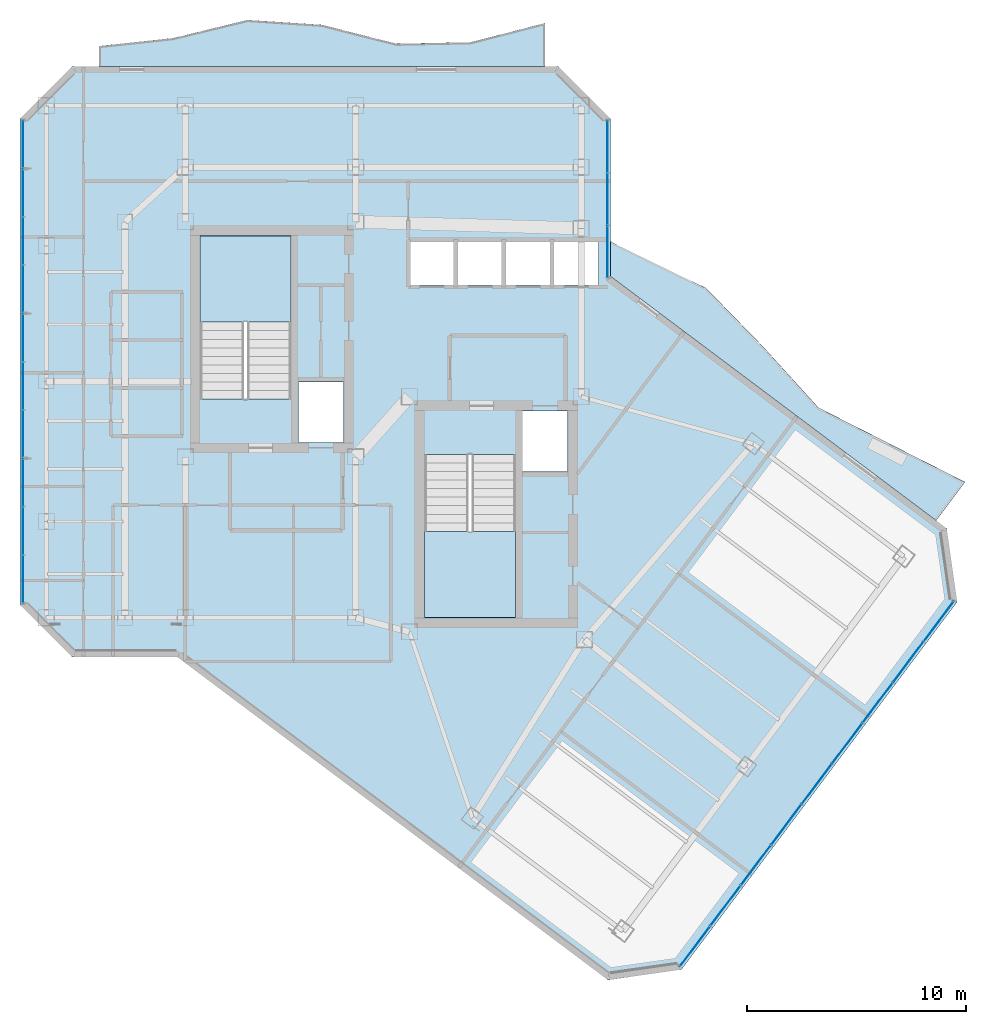
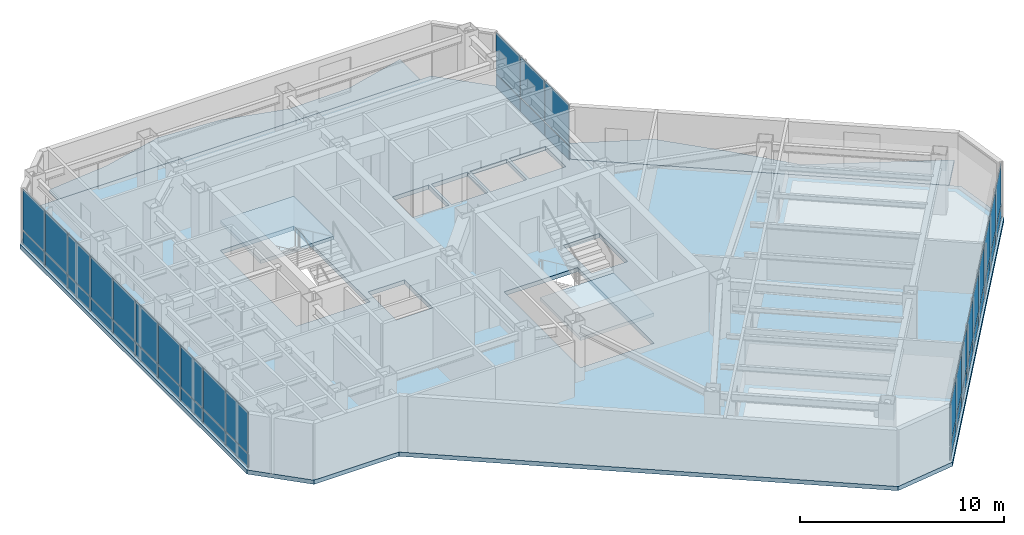
# One storey, part 18 of 26: 44 plates, 5 slabs, 5 elements without a shape of their own.
"""IFC4 building model written with IfcOpenShell, lengths in metres."""

import ifcopenshell
import ifcopenshell.guid

model = None  # the IFC model being written
_history = None  # IfcOwnerHistory: only IFC2X3 demands one
_inside = {}  # id of a spatial element -> (the spatial element, [elements in it])
_under = {}  # id of a project, library or spatial element -> (it, [spatial elements below it])
_declared = {}  # id of a project -> (the project, [libraries it declares])
_typed = {}  # id of a type object -> (the type object, [elements of that type])
_made_of = {}  # id of a material, layer set ... -> (it, [elements and type objects made of it])


def new_model(schema):
    """Start an empty IFC model of exactly this schema.

    Asked for "IFC4X3", IfcOpenShell would pick the latest addendum, in which some entities
    have other attributes; the version numbers below select the first issue.
    IFC2X3 requires an IfcOwnerHistory on every rooted entity: one is made here for all.
    """
    global model, _history
    if schema == "IFC4X3":
        model = ifcopenshell.file(schema_version=(4, 3, 0, 0))
    else:
        model = ifcopenshell.file(schema=schema)
    _inside.clear()
    _under.clear()
    _declared.clear()
    _typed.clear()
    _made_of.clear()
    _history = None
    if model.schema == "IFC2X3":
        org = make("IfcOrganization", Name="unknown")
        user = make(
            "IfcPersonAndOrganization",
            ThePerson=make("IfcPerson", FamilyName="unknown"),
            TheOrganization=org,
        )
        app = make(
            "IfcApplication",
            ApplicationDeveloper=org,
            Version="unknown",
            ApplicationFullName="unknown",
            ApplicationIdentifier="unknown",
        )
        _history = make(
            "IfcOwnerHistory",
            OwningUser=user,
            OwningApplication=app,
            ChangeAction="ADDED",
            CreationDate=0,
        )
    return model


def make(cls, **values):
    """One entity of the class cls with the attributes given. An attribute that is None is left unset."""
    return model.create_entity(
        cls, **{name: value for name, value in values.items() if value is not None}
    )


def rooted(cls, **values):
    """An entity with a GlobalId (a new one), such as an element, a storey or a relation."""
    return make(cls, GlobalId=ifcopenshell.guid.new(), OwnerHistory=_history, **values)


def si_unit(unit_type, name, prefix=None):
    """IfcSIUnit, for example si_unit("LENGTHUNIT", "METRE", prefix="MILLI")."""
    return make("IfcSIUnit", UnitType=unit_type, Prefix=prefix, Name=name)


def assignment(units):
    """IfcUnitAssignment: the units of a project."""
    return None if units is None else make("IfcUnitAssignment", Units=units)


def point(xyz):
    """IfcCartesianPoint."""
    return None if xyz is None else make("IfcCartesianPoint", Coordinates=xyz)


def direction(xyz):
    """IfcDirection."""
    return None if xyz is None else make("IfcDirection", DirectionRatios=xyz)


def frame(location, z_axis=None, x_axis=None):
    """IfcAxis2Placement3D, a coordinate frame: its origin and axes. An axis left out is left unset."""
    return make(
        "IfcAxis2Placement3D",
        Location=point(location),
        Axis=direction(z_axis),
        RefDirection=direction(x_axis),
    )


def frame_2d(location, x_axis=None):
    """IfcAxis2Placement2D, a coordinate frame in the plane: its origin and x axis."""
    return make(
        "IfcAxis2Placement2D", Location=point(location), RefDirection=direction(x_axis)
    )


def origin():
    """The frame at (0, 0, 0) with its axes left unset."""
    return frame((0.0, 0.0, 0.0))


def origin_2d():
    """The frame at (0, 0) in the plane with its x axis left unset."""
    return frame_2d((0.0, 0.0))


def place(relative_to, where):
    """IfcLocalPlacement: puts the frame where relative to a parent placement (None: the world)."""
    return make(
        "IfcLocalPlacement", PlacementRelTo=relative_to, RelativePlacement=where
    )


def context(
    kind, dimensions, precision=None, world=None, true_north=None, identifier=None
):
    """IfcGeometricRepresentationContext, for example the 3D "Model" context."""
    return make(
        "IfcGeometricRepresentationContext",
        ContextIdentifier=identifier,
        ContextType=kind,
        CoordinateSpaceDimension=dimensions,
        Precision=precision,
        WorldCoordinateSystem=world,
        TrueNorth=true_north,
    )


def subcontext(parent, identifier, kind, view, scale=None):
    """IfcGeometricRepresentationSubContext, for example "Body" below "Model"."""
    return make(
        "IfcGeometricRepresentationSubContext",
        ContextIdentifier=identifier,
        ContextType=kind,
        ParentContext=parent,
        TargetScale=scale,
        TargetView=view,
    )


def project(units=None, contexts=None):
    """IfcProject with its units and contexts."""
    return rooted(
        "IfcProject",
        Name="project",
        RepresentationContexts=contexts,
        UnitsInContext=assignment(units),
    )


def spatial(cls, under=None, at=None, **own):
    """A site, building, storey or space (cls), placed at a placement, below another one or the project."""
    s = rooted(cls, ObjectPlacement=at, **own)
    if under is not None:
        _under.setdefault(under.id(), (under, []))[1].append(s)
    return s


def polyline(points):
    """IfcPolyline through the points."""
    return make("IfcPolyline", Points=[point(p) for p in points])


def profile(cls, at=None, kind="AREA", **sizes):
    """A parametric profile (cls). Its sizes go by their IFC names, for example OverallWidth=200.0."""
    return make(cls, ProfileType=kind, Position=at, **sizes)


def rectangle(**sizes):
    """IfcRectangleProfileDef."""
    return profile("IfcRectangleProfileDef", **sizes)


def outline(outer, holes=None, kind="AREA"):
    """IfcArbitraryClosedProfileDef: a profile drawn as a closed curve; with holes, ...WithVoids."""
    if holes is None:
        return make("IfcArbitraryClosedProfileDef", ProfileType=kind, OuterCurve=outer)
    return make(
        "IfcArbitraryProfileDefWithVoids",
        ProfileType=kind,
        OuterCurve=outer,
        InnerCurves=holes,
    )


def extrude(swept, where, along, depth):
    """IfcExtrudedAreaSolid: the profile swept, set in the frame where, extruded along a direction by depth."""
    return make(
        "IfcExtrudedAreaSolid",
        SweptArea=swept,
        Position=where,
        ExtrudedDirection=direction(along),
        Depth=depth,
    )


def shape(context_of_items, identifier, shape_type, items):
    """IfcShapeRepresentation: the items that make up one representation, for example the "Body"."""
    return make(
        "IfcShapeRepresentation",
        ContextOfItems=context_of_items,
        RepresentationIdentifier=identifier,
        RepresentationType=shape_type,
        Items=items,
    )


def material(Name=None, Category=None):
    """IfcMaterial."""
    return make("IfcMaterial", Name=Name, Category=Category)


def layer(
    of_material, thickness, ventilated=None, Name=None, Category=None, Priority=None
):
    """IfcMaterialLayer: one layer of a wall or slab, of a material (None: an air gap)."""
    return make(
        "IfcMaterialLayer",
        Material=of_material,
        LayerThickness=thickness,
        IsVentilated=ventilated,
        Name=Name,
        Category=Category,
        Priority=Priority,
    )


def layer_set(layers, Name=None):
    """IfcMaterialLayerSet."""
    return make("IfcMaterialLayerSet", MaterialLayers=layers, LayerSetName=Name)


def made_of(thing, what):
    """Note that an element or type object is made of a material, layer set ...; save() writes the relation."""
    if what is not None:
        _made_of.setdefault(what.id(), (what, []))[1].append(thing)
    return thing


def type_object(cls, material=None, **own):
    """A type object (cls), such as IfcWallType, which elements share."""
    return made_of(rooted(cls, **own), material)


def element(
    cls,
    number,
    at=None,
    inside=None,
    cuts=None,
    type_object=None,
    material=None,
    context=None,
    identifier="Body",
    shape_type=None,
    held_by="IfcProductDefinitionShape",
    body=None,
    shapes=None,
    **own,
):
    """One element of the class cls, such as IfcWall. Its Tag is "e" and its number.

    at: its placement. inside: the storey or other place that contains it. cuts: it is an
    opening in that element (IfcRelVoidsElement). A single representation is given by context,
    identifier, shape_type and body (its items); several are given by shapes. held_by: the class
    of the entity that holds the representations. save() writes the other relations.
    """
    e = rooted(cls, Tag="e%d" % number, ObjectPlacement=at, **own)
    if body is not None:
        shapes = [shape(context, identifier, shape_type, body)]
    if shapes is not None:
        e.Representation = make(held_by, Representations=shapes)
    if inside is not None:
        _inside.setdefault(inside.id(), (inside, []))[1].append(e)
    if cuts is not None:
        rooted(
            "IfcRelVoidsElement", RelatingBuildingElement=cuts, RelatedOpeningElement=e
        )
    if type_object is not None:
        _typed.setdefault(type_object.id(), (type_object, []))[1].append(e)
    return made_of(e, material)


def aggregate(whole, parts):
    """IfcRelAggregates: a whole, such as a stair, and the parts it consists of."""
    return rooted("IfcRelAggregates", RelatingObject=whole, RelatedObjects=parts)


def save(model, path):
    """Write the relations noted so far, then the file.

    IfcRelAggregates (storeys below a building ...), IfcRelContainedInSpatialStructure (elements
    in a storey), IfcRelDefinesByType, IfcRelAssociatesMaterial and IfcRelDeclares: one each for
    every whole, place, type object, material and project.
    """
    for whole, parts in _under.values():
        aggregate(whole, parts)
    for where, things in _inside.values():
        rooted(
            "IfcRelContainedInSpatialStructure",
            RelatedElements=things,
            RelatingStructure=where,
        )
    for kind, things in _typed.values():
        rooted("IfcRelDefinesByType", RelatedObjects=things, RelatingType=kind)
    for what, things in _made_of.values():
        rooted("IfcRelAssociatesMaterial", RelatedObjects=things, RelatingMaterial=what)
    for by, libraries in _declared.values():
        rooted("IfcRelDeclares", RelatingContext=by, RelatedDefinitions=libraries)
    model.write(path)


model = new_model("IFC4")

# Units and contexts
model_context = context("Model", 3, precision=1e-05, world=origin(), true_north=direction((0.0, 1.0)))
body_context = subcontext(model_context, "Body", "Model", "MODEL_VIEW")
ifc_project = project(units=[si_unit("LENGTHUNIT", "METRE"), si_unit("AREAUNIT", "SQUARE_METRE"), si_unit("VOLUMEUNIT", "CUBIC_METRE"), si_unit("PLANEANGLEUNIT", "RADIAN"), si_unit("MASSUNIT", "GRAM", prefix="KILO")], contexts=[model_context])

# Site, building, storey
site_placement = place(None, origin())
site = spatial("IfcSite", under=ifc_project, at=site_placement, CompositionType="ELEMENT")
building_placement = place(site_placement, origin())
building = spatial("IfcBuilding", under=site, at=building_placement, Name="Hatsunagi Terrace Concourse", CompositionType="ELEMENT")
storey_placement = place(building_placement, frame((0.0, 0.0, 198.75)))
storey = spatial("IfcBuildingStorey", under=building, at=storey_placement, Name="L52", CompositionType="ELEMENT", Elevation=198.75)

# Curtain wall, plates
ifc_material_1 = material(Name="Anodised Aluminium Alloy 6063-T5", Category="aluminium")
ifc_layer_1 = layer(ifc_material_1, 0.199951171875)
ifc_layer_set_1 = layer_set([ifc_layer_1], Name="OfficeZone2_CW04")
curtain_wall_type = type_object("IfcCurtainWallType", Name="OfficeZone2_CW04", PredefinedType="NOTDEFINED", material=ifc_layer_set_1)
curtain_wall_1_placement = place(storey_placement, origin())
curtain_wall_1 = element("IfcCurtainWall", 1, at=curtain_wall_1_placement, inside=storey, type_object=curtain_wall_type, Name="Unitised Curtain Wall CW-04 CW-L52-03", PredefinedType="NOTDEFINED")
ifc_material_2 = material(Name="Warm Terracotta Ceramic Spandrel Panel", Category="masonry")
ifc_layer_2 = layer(ifc_material_2, 0.031982421875)
ifc_layer_set_2 = layer_set([ifc_layer_2], Name="CurtainWallSpandrelPanel_32")
plate_type_1 = type_object("IfcPlateType", Name="CurtainWallSpandrelPanel_32", PredefinedType="SHEET", material=ifc_layer_set_2)
plate_1_placement = place(storey_placement, frame((59.9970703125, 25.030029296875, 0.030029296875), z_axis=(0.0, 0.0, 1.0), x_axis=(-0.599969314634, -0.800023013105, 0.0)))
plate_1 = element("IfcPlate", 2, at=plate_1_placement, type_object=plate_type_1, Name="Terracotta Spandrel Panel SPN-01", PredefinedType="SHEET", context=body_context, shape_type="SweptSolid", body=[
    extrude(rectangle(XDim=2.264892578125, YDim=0.031982421875, at=origin_2d()), origin(), (0.0, 0.0, 1.0), 0.7900390625),
])
plate_2_placement = place(storey_placement, frame((58.60498046875, 23.173095703125, 0.030029296875), z_axis=(0.0, 0.0, 1.0), x_axis=(-0.599969314634, -0.800023013105, 0.0)))
plate_2 = element("IfcPlate", 3, at=plate_2_placement, type_object=plate_type_1, Name="Terracotta Spandrel Panel SPN-01", PredefinedType="SHEET", context=body_context, shape_type="SweptSolid", body=[
    extrude(rectangle(XDim=2.264892578125, YDim=0.031982421875, at=origin_2d()), origin(), (0.0, 0.0, 1.0), 0.7900390625),
])
plate_3_placement = place(storey_placement, frame((57.2119140625, 21.31689453125, 0.030029296875), z_axis=(0.0, 0.0, 1.0), x_axis=(-0.599969314634, -0.800023013105, 0.0)))
plate_3 = element("IfcPlate", 4, at=plate_3_placement, type_object=plate_type_1, Name="Terracotta Spandrel Panel SPN-01", PredefinedType="SHEET", context=body_context, shape_type="SweptSolid", body=[
    extrude(rectangle(XDim=2.264892578125, YDim=0.031982421875, at=origin_2d()), origin(), (0.0, 0.0, 1.0), 0.7900390625),
])
plate_4_placement = place(storey_placement, frame((55.820068359375, 19.4599609375, 0.030029296875), z_axis=(0.0, 0.0, 1.0), x_axis=(-0.599969314634, -0.800023013105, 0.0)))
plate_4 = element("IfcPlate", 5, at=plate_4_placement, type_object=plate_type_1, Name="Terracotta Spandrel Panel SPN-01", PredefinedType="SHEET", context=body_context, shape_type="SweptSolid", body=[
    extrude(rectangle(XDim=2.264892578125, YDim=0.031982421875, at=origin_2d()), origin(), (0.0, 0.0, 1.0), 0.7900390625),
])
plate_5_placement = place(storey_placement, frame((54.427978515625, 17.60400390625, 0.030029296875), z_axis=(0.0, 0.0, 1.0), x_axis=(-0.599969314634, -0.800023013105, 0.0)))
plate_5 = element("IfcPlate", 6, at=plate_5_placement, type_object=plate_type_1, Name="Terracotta Spandrel Panel SPN-01", PredefinedType="SHEET", context=body_context, shape_type="SweptSolid", body=[
    extrude(rectangle(XDim=2.264892578125, YDim=0.031982421875, at=origin_2d()), origin(), (0.0, 0.0, 1.0), 0.7900390625),
])
plate_6_placement = place(storey_placement, frame((53.035888671875, 15.748046875, 0.030029296875), z_axis=(0.0, 0.0, 1.0), x_axis=(-0.599969314634, -0.800023013105, 0.0)))
plate_6 = element("IfcPlate", 7, at=plate_6_placement, type_object=plate_type_1, Name="Terracotta Spandrel Panel SPN-01", PredefinedType="SHEET", context=body_context, shape_type="SweptSolid", body=[
    extrude(rectangle(XDim=2.264892578125, YDim=0.031982421875, at=origin_2d()), origin(), (0.0, 0.0, 1.0), 0.7900390625),
])
plate_7_placement = place(storey_placement, frame((51.64404296875, 13.89111328125, 0.030029296875), z_axis=(0.0, 0.0, 1.0), x_axis=(-0.599969314634, -0.800023013105, 0.0)))
plate_7 = element("IfcPlate", 8, at=plate_7_placement, type_object=plate_type_1, Name="Terracotta Spandrel Panel SPN-01", PredefinedType="SHEET", context=body_context, shape_type="SweptSolid", body=[
    extrude(rectangle(XDim=2.264892578125, YDim=0.031982421875, at=origin_2d()), origin(), (0.0, 0.0, 1.0), 0.7900390625),
])
plate_8_placement = place(storey_placement, frame((50.2509765625, 12.034912109375, 0.030029296875), z_axis=(0.0, 0.0, 1.0), x_axis=(-0.599969314634, -0.800023013105, 0.0)))
plate_8 = element("IfcPlate", 9, at=plate_8_placement, type_object=plate_type_1, Name="Terracotta Spandrel Panel SPN-01", PredefinedType="SHEET", context=body_context, shape_type="SweptSolid", body=[
    extrude(rectangle(XDim=2.264892578125, YDim=0.031982421875, at=origin_2d()), origin(), (0.0, 0.0, 1.0), 0.7900390625),
])
plate_9_placement = place(storey_placement, frame((48.85888671875, 10.177978515625, 0.030029296875), z_axis=(0.0, 0.0, 1.0), x_axis=(-0.599969314634, -0.800023013105, 0.0)))
plate_9 = element("IfcPlate", 10, at=plate_9_placement, type_object=plate_type_1, Name="Terracotta Spandrel Panel SPN-01", PredefinedType="SHEET", context=body_context, shape_type="SweptSolid", body=[
    extrude(rectangle(XDim=2.264892578125, YDim=0.031982421875, at=origin_2d()), origin(), (0.0, 0.0, 1.0), 0.7900390625),
])

curtain_wall_2_placement = place(storey_placement, origin())
curtain_wall_2 = element("IfcCurtainWall", 11, at=curtain_wall_2_placement, inside=storey, type_object=curtain_wall_type, Name="Unitised Curtain Wall CW-04 CW-L52-08", PredefinedType="NOTDEFINED")
plate_10_placement = place(storey_placement, frame((18.139892578125, 26.9619140625, 0.030029296875), z_axis=(0.0, 0.0, 1.0), x_axis=(0.0, 1.0, 0.0)))
plate_10 = element("IfcPlate", 12, at=plate_10_placement, type_object=plate_type_1, Name="Terracotta Spandrel Panel SPN-01", PredefinedType="SHEET", context=body_context, shape_type="SweptSolid", body=[
    extrude(rectangle(XDim=2.153076171875, YDim=0.031982421875, at=origin_2d()), origin(), (0.0, 0.0, 1.0), 0.7900390625),
])
plate_11_placement = place(storey_placement, frame((18.139892578125, 29.1708984375, 0.030029296875), z_axis=(0.0, 0.0, 1.0), x_axis=(0.0, 1.0, 0.0)))
plate_11 = element("IfcPlate", 13, at=plate_11_placement, type_object=plate_type_1, Name="Terracotta Spandrel Panel SPN-01", PredefinedType="SHEET", context=body_context, shape_type="SweptSolid", body=[
    extrude(rectangle(XDim=2.153076171875, YDim=0.031982421875, at=origin_2d()), origin(), (0.0, 0.0, 1.0), 0.7900390625),
])
plate_12_placement = place(storey_placement, frame((18.139892578125, 31.37890625, 0.030029296875), z_axis=(0.0, 0.0, 1.0), x_axis=(0.0, 1.0, 0.0)))
plate_12 = element("IfcPlate", 14, at=plate_12_placement, type_object=plate_type_1, Name="Terracotta Spandrel Panel SPN-01", PredefinedType="SHEET", context=body_context, shape_type="SweptSolid", body=[
    extrude(rectangle(XDim=2.153076171875, YDim=0.031982421875, at=origin_2d()), origin(), (0.0, 0.0, 1.0), 0.7900390625),
])
plate_13_placement = place(storey_placement, frame((18.139892578125, 33.5869140625, 0.030029296875), z_axis=(0.0, 0.0, 1.0), x_axis=(0.0, 1.0, 0.0)))
plate_13 = element("IfcPlate", 15, at=plate_13_placement, type_object=plate_type_1, Name="Terracotta Spandrel Panel SPN-01", PredefinedType="SHEET", context=body_context, shape_type="SweptSolid", body=[
    extrude(rectangle(XDim=2.153076171875, YDim=0.031982421875, at=origin_2d()), origin(), (0.0, 0.0, 1.0), 0.7900390625),
])
plate_14_placement = place(storey_placement, frame((18.139892578125, 35.7958984375, 0.030029296875), z_axis=(0.0, 0.0, 1.0), x_axis=(0.0, 1.0, 0.0)))
plate_14 = element("IfcPlate", 16, at=plate_14_placement, type_object=plate_type_1, Name="Terracotta Spandrel Panel SPN-01", PredefinedType="SHEET", context=body_context, shape_type="SweptSolid", body=[
    extrude(rectangle(XDim=2.153076171875, YDim=0.031982421875, at=origin_2d()), origin(), (0.0, 0.0, 1.0), 0.7900390625),
])
plate_15_placement = place(storey_placement, frame((18.139892578125, 38.00390625, 0.030029296875), z_axis=(0.0, 0.0, 1.0), x_axis=(0.0, 1.0, 0.0)))
plate_15 = element("IfcPlate", 17, at=plate_15_placement, type_object=plate_type_1, Name="Terracotta Spandrel Panel SPN-01", PredefinedType="SHEET", context=body_context, shape_type="SweptSolid", body=[
    extrude(rectangle(XDim=2.153076171875, YDim=0.031982421875, at=origin_2d()), origin(), (0.0, 0.0, 1.0), 0.7900390625),
])
plate_16_placement = place(storey_placement, frame((18.139892578125, 40.212890625, 0.030029296875), z_axis=(0.0, 0.0, 1.0), x_axis=(0.0, 1.0, 0.0)))
plate_16 = element("IfcPlate", 18, at=plate_16_placement, type_object=plate_type_1, Name="Terracotta Spandrel Panel SPN-01", PredefinedType="SHEET", context=body_context, shape_type="SweptSolid", body=[
    extrude(rectangle(XDim=2.153076171875, YDim=0.031982421875, at=origin_2d()), origin(), (0.0, 0.0, 1.0), 0.7900390625),
])
plate_17_placement = place(storey_placement, frame((18.139892578125, 42.4208984375, 0.030029296875), z_axis=(0.0, 0.0, 1.0), x_axis=(0.0, 1.0, 0.0)))
plate_17 = element("IfcPlate", 19, at=plate_17_placement, type_object=plate_type_1, Name="Terracotta Spandrel Panel SPN-01", PredefinedType="SHEET", context=body_context, shape_type="SweptSolid", body=[
    extrude(rectangle(XDim=2.153076171875, YDim=0.031982421875, at=origin_2d()), origin(), (0.0, 0.0, 1.0), 0.7900390625),
])
plate_18_placement = place(storey_placement, frame((18.139892578125, 44.62890625, 0.030029296875), z_axis=(0.0, 0.0, 1.0), x_axis=(0.0, 1.0, 0.0)))
plate_18 = element("IfcPlate", 20, at=plate_18_placement, type_object=plate_type_1, Name="Terracotta Spandrel Panel SPN-01", PredefinedType="SHEET", context=body_context, shape_type="SweptSolid", body=[
    extrude(rectangle(XDim=2.153076171875, YDim=0.031982421875, at=origin_2d()), origin(), (0.0, 0.0, 1.0), 0.7900390625),
])
plate_19_placement = place(storey_placement, frame((18.139892578125, 46.837890625, 0.030029296875), z_axis=(0.0, 0.0, 1.0), x_axis=(0.0, 1.0, 0.0)))
plate_19 = element("IfcPlate", 21, at=plate_19_placement, type_object=plate_type_1, Name="Terracotta Spandrel Panel SPN-01", PredefinedType="SHEET", context=body_context, shape_type="SweptSolid", body=[
    extrude(rectangle(XDim=2.153076171875, YDim=0.031982421875, at=origin_2d()), origin(), (0.0, 0.0, 1.0), 0.7900390625),
])

curtain_wall_3_placement = place(storey_placement, origin())
curtain_wall_3 = element("IfcCurtainWall", 22, at=curtain_wall_3_placement, inside=storey, type_object=curtain_wall_type, Name="Unitised Curtain Wall CW-04 CW-L52-12", PredefinedType="NOTDEFINED")
plate_20_placement = place(storey_placement, frame((44.860107421875, 46.739990234375, 0.030029296875), z_axis=(0.0, 0.0, 1.0), x_axis=(0.0, -1.0, 0.0)))
plate_20 = element("IfcPlate", 23, at=plate_20_placement, type_object=plate_type_1, Name="Terracotta Spandrel Panel SPN-01", PredefinedType="SHEET", context=body_context, shape_type="SweptSolid", body=[
    extrude(rectangle(XDim=2.34912109375, YDim=0.031982421875, at=origin_2d()), origin(), (0.0, 0.0, 1.0), 0.7900390625),
])
plate_21_placement = place(storey_placement, frame((44.860107421875, 44.3359375, 0.030029296875), z_axis=(0.0, 0.0, 1.0), x_axis=(0.0, -1.0, 0.0)))
plate_21 = element("IfcPlate", 24, at=plate_21_placement, type_object=plate_type_1, Name="Terracotta Spandrel Panel SPN-01", PredefinedType="SHEET", context=body_context, shape_type="SweptSolid", body=[
    extrude(rectangle(XDim=2.34912109375, YDim=0.031982421875, at=origin_2d()), origin(), (0.0, 0.0, 1.0), 0.7900390625),
])
plate_22_placement = place(storey_placement, frame((44.860107421875, 41.931884765625, 0.030029296875), z_axis=(0.0, 0.0, 1.0), x_axis=(0.0, -1.0, 0.0)))
plate_22 = element("IfcPlate", 25, at=plate_22_placement, type_object=plate_type_1, Name="Terracotta Spandrel Panel SPN-01", PredefinedType="SHEET", context=body_context, shape_type="SweptSolid", body=[
    extrude(rectangle(XDim=2.34912109375, YDim=0.031982421875, at=origin_2d()), origin(), (0.0, 0.0, 1.0), 0.7900390625),
])

# Plate
ifc_material_3 = material(Name="Low-E Double Insulating Glass 28mm", Category="glass")
ifc_layer_3 = layer(ifc_material_3, 0.028076171875)
ifc_layer_set_3 = layer_set([ifc_layer_3], Name="CurtainWallVisionGlass_28")
plate_type_2 = type_object("IfcPlateType", Name="CurtainWallVisionGlass_28", PredefinedType="CURTAIN_PANEL", material=ifc_layer_set_3)
plate_23_placement = place(storey_placement, frame((59.9970703125, 25.030029296875, 0.880126953125), z_axis=(0.0, 0.0, 1.0), x_axis=(-0.599969314634, -0.800023013105, 0.0)))
plate_23 = element("IfcPlate", 26, at=plate_23_placement, type_object=plate_type_2, Name="Low-E Vision Glass Panel GLZ-01", PredefinedType="CURTAIN_PANEL", context=body_context, shape_type="SweptSolid", body=[
    extrude(rectangle(XDim=2.264892578125, YDim=0.028076171875, at=origin_2d()), origin(), (0.0, 0.0, 1.0), 2.43994140625),
])

plate_24_placement = place(storey_placement, frame((58.60498046875, 23.173095703125, 0.880126953125), z_axis=(0.0, 0.0, 1.0), x_axis=(-0.599969314634, -0.800023013105, 0.0)))
plate_24 = element("IfcPlate", 27, at=plate_24_placement, type_object=plate_type_2, Name="Low-E Vision Glass Panel GLZ-01", PredefinedType="CURTAIN_PANEL", context=body_context, shape_type="SweptSolid", body=[
    extrude(rectangle(XDim=2.264892578125, YDim=0.028076171875, at=origin_2d()), origin(), (0.0, 0.0, 1.0), 2.43994140625),
])

plate_25_placement = place(storey_placement, frame((57.2119140625, 21.31689453125, 0.880126953125), z_axis=(0.0, 0.0, 1.0), x_axis=(-0.599969314634, -0.800023013105, 0.0)))
plate_25 = element("IfcPlate", 28, at=plate_25_placement, type_object=plate_type_2, Name="Low-E Vision Glass Panel GLZ-01", PredefinedType="CURTAIN_PANEL", context=body_context, shape_type="SweptSolid", body=[
    extrude(rectangle(XDim=2.264892578125, YDim=0.028076171875, at=origin_2d()), origin(), (0.0, 0.0, 1.0), 2.43994140625),
])

plate_26_placement = place(storey_placement, frame((55.820068359375, 19.4599609375, 0.880126953125), z_axis=(0.0, 0.0, 1.0), x_axis=(-0.599969314634, -0.800023013105, 0.0)))
plate_26 = element("IfcPlate", 29, at=plate_26_placement, type_object=plate_type_2, Name="Low-E Vision Glass Panel GLZ-01", PredefinedType="CURTAIN_PANEL", context=body_context, shape_type="SweptSolid", body=[
    extrude(rectangle(XDim=2.264892578125, YDim=0.028076171875, at=origin_2d()), origin(), (0.0, 0.0, 1.0), 2.43994140625),
])

plate_27_placement = place(storey_placement, frame((54.427978515625, 17.60400390625, 0.880126953125), z_axis=(0.0, 0.0, 1.0), x_axis=(-0.599969314634, -0.800023013105, 0.0)))
plate_27 = element("IfcPlate", 30, at=plate_27_placement, type_object=plate_type_2, Name="Low-E Vision Glass Panel GLZ-01", PredefinedType="CURTAIN_PANEL", context=body_context, shape_type="SweptSolid", body=[
    extrude(rectangle(XDim=2.264892578125, YDim=0.028076171875, at=origin_2d()), origin(), (0.0, 0.0, 1.0), 2.43994140625),
])

plate_28_placement = place(storey_placement, frame((53.035888671875, 15.748046875, 0.880126953125), z_axis=(0.0, 0.0, 1.0), x_axis=(-0.599969314634, -0.800023013105, 0.0)))
plate_28 = element("IfcPlate", 31, at=plate_28_placement, type_object=plate_type_2, Name="Low-E Vision Glass Panel GLZ-01", PredefinedType="CURTAIN_PANEL", context=body_context, shape_type="SweptSolid", body=[
    extrude(rectangle(XDim=2.264892578125, YDim=0.028076171875, at=origin_2d()), origin(), (0.0, 0.0, 1.0), 2.43994140625),
])

plate_29_placement = place(storey_placement, frame((51.64404296875, 13.89111328125, 0.880126953125), z_axis=(0.0, 0.0, 1.0), x_axis=(-0.599969314634, -0.800023013105, 0.0)))
plate_29 = element("IfcPlate", 32, at=plate_29_placement, type_object=plate_type_2, Name="Low-E Vision Glass Panel GLZ-01", PredefinedType="CURTAIN_PANEL", context=body_context, shape_type="SweptSolid", body=[
    extrude(rectangle(XDim=2.264892578125, YDim=0.028076171875, at=origin_2d()), origin(), (0.0, 0.0, 1.0), 2.43994140625),
])

plate_30_placement = place(storey_placement, frame((50.2509765625, 12.034912109375, 0.880126953125), z_axis=(0.0, 0.0, 1.0), x_axis=(-0.599969314634, -0.800023013105, 0.0)))
plate_30 = element("IfcPlate", 33, at=plate_30_placement, type_object=plate_type_2, Name="Low-E Vision Glass Panel GLZ-01", PredefinedType="CURTAIN_PANEL", context=body_context, shape_type="SweptSolid", body=[
    extrude(rectangle(XDim=2.264892578125, YDim=0.028076171875, at=origin_2d()), origin(), (0.0, 0.0, 1.0), 2.43994140625),
])

plate_31_placement = place(storey_placement, frame((48.85888671875, 10.177978515625, 0.880126953125), z_axis=(0.0, 0.0, 1.0), x_axis=(-0.599969314634, -0.800023013105, 0.0)))
plate_31 = element("IfcPlate", 34, at=plate_31_placement, type_object=plate_type_2, Name="Low-E Vision Glass Panel GLZ-01", PredefinedType="CURTAIN_PANEL", context=body_context, shape_type="SweptSolid", body=[
    extrude(rectangle(XDim=2.264892578125, YDim=0.028076171875, at=origin_2d()), origin(), (0.0, 0.0, 1.0), 2.43994140625),
])

aggregate(curtain_wall_1, [plate_1, plate_23, plate_2, plate_24, plate_3, plate_25, plate_4, plate_26, plate_5, plate_27, plate_6, plate_28, plate_7, plate_29, plate_8, plate_30, plate_9, plate_31])

plate_32_placement = place(storey_placement, frame((18.139892578125, 26.9619140625, 0.880126953125), z_axis=(0.0, 0.0, 1.0), x_axis=(0.0, 1.0, 0.0)))
plate_32 = element("IfcPlate", 35, at=plate_32_placement, type_object=plate_type_2, Name="Low-E Vision Glass Panel GLZ-01", PredefinedType="CURTAIN_PANEL", context=body_context, shape_type="SweptSolid", body=[
    extrude(rectangle(XDim=2.153076171875, YDim=0.028076171875, at=origin_2d()), origin(), (0.0, 0.0, 1.0), 2.43994140625),
])

plate_33_placement = place(storey_placement, frame((18.139892578125, 29.1708984375, 0.880126953125), z_axis=(0.0, 0.0, 1.0), x_axis=(0.0, 1.0, 0.0)))
plate_33 = element("IfcPlate", 36, at=plate_33_placement, type_object=plate_type_2, Name="Low-E Vision Glass Panel GLZ-01", PredefinedType="CURTAIN_PANEL", context=body_context, shape_type="SweptSolid", body=[
    extrude(rectangle(XDim=2.153076171875, YDim=0.028076171875, at=origin_2d()), origin(), (0.0, 0.0, 1.0), 2.43994140625),
])

plate_34_placement = place(storey_placement, frame((18.139892578125, 31.37890625, 0.880126953125), z_axis=(0.0, 0.0, 1.0), x_axis=(0.0, 1.0, 0.0)))
plate_34 = element("IfcPlate", 37, at=plate_34_placement, type_object=plate_type_2, Name="Low-E Vision Glass Panel GLZ-01", PredefinedType="CURTAIN_PANEL", context=body_context, shape_type="SweptSolid", body=[
    extrude(rectangle(XDim=2.153076171875, YDim=0.028076171875, at=origin_2d()), origin(), (0.0, 0.0, 1.0), 2.43994140625),
])

plate_35_placement = place(storey_placement, frame((18.139892578125, 33.5869140625, 0.880126953125), z_axis=(0.0, 0.0, 1.0), x_axis=(0.0, 1.0, 0.0)))
plate_35 = element("IfcPlate", 38, at=plate_35_placement, type_object=plate_type_2, Name="Low-E Vision Glass Panel GLZ-01", PredefinedType="CURTAIN_PANEL", context=body_context, shape_type="SweptSolid", body=[
    extrude(rectangle(XDim=2.153076171875, YDim=0.028076171875, at=origin_2d()), origin(), (0.0, 0.0, 1.0), 2.43994140625),
])

plate_36_placement = place(storey_placement, frame((18.139892578125, 35.7958984375, 0.880126953125), z_axis=(0.0, 0.0, 1.0), x_axis=(0.0, 1.0, 0.0)))
plate_36 = element("IfcPlate", 39, at=plate_36_placement, type_object=plate_type_2, Name="Low-E Vision Glass Panel GLZ-01", PredefinedType="CURTAIN_PANEL", context=body_context, shape_type="SweptSolid", body=[
    extrude(rectangle(XDim=2.153076171875, YDim=0.028076171875, at=origin_2d()), origin(), (0.0, 0.0, 1.0), 2.43994140625),
])

plate_37_placement = place(storey_placement, frame((18.139892578125, 38.00390625, 0.880126953125), z_axis=(0.0, 0.0, 1.0), x_axis=(0.0, 1.0, 0.0)))
plate_37 = element("IfcPlate", 40, at=plate_37_placement, type_object=plate_type_2, Name="Low-E Vision Glass Panel GLZ-01", PredefinedType="CURTAIN_PANEL", context=body_context, shape_type="SweptSolid", body=[
    extrude(rectangle(XDim=2.153076171875, YDim=0.028076171875, at=origin_2d()), origin(), (0.0, 0.0, 1.0), 2.43994140625),
])

plate_38_placement = place(storey_placement, frame((18.139892578125, 40.212890625, 0.880126953125), z_axis=(0.0, 0.0, 1.0), x_axis=(0.0, 1.0, 0.0)))
plate_38 = element("IfcPlate", 41, at=plate_38_placement, type_object=plate_type_2, Name="Low-E Vision Glass Panel GLZ-01", PredefinedType="CURTAIN_PANEL", context=body_context, shape_type="SweptSolid", body=[
    extrude(rectangle(XDim=2.153076171875, YDim=0.028076171875, at=origin_2d()), origin(), (0.0, 0.0, 1.0), 2.43994140625),
])

plate_39_placement = place(storey_placement, frame((18.139892578125, 42.4208984375, 0.880126953125), z_axis=(0.0, 0.0, 1.0), x_axis=(0.0, 1.0, 0.0)))
plate_39 = element("IfcPlate", 42, at=plate_39_placement, type_object=plate_type_2, Name="Low-E Vision Glass Panel GLZ-01", PredefinedType="CURTAIN_PANEL", context=body_context, shape_type="SweptSolid", body=[
    extrude(rectangle(XDim=2.153076171875, YDim=0.028076171875, at=origin_2d()), origin(), (0.0, 0.0, 1.0), 2.43994140625),
])

plate_40_placement = place(storey_placement, frame((18.139892578125, 44.62890625, 0.880126953125), z_axis=(0.0, 0.0, 1.0), x_axis=(0.0, 1.0, 0.0)))
plate_40 = element("IfcPlate", 43, at=plate_40_placement, type_object=plate_type_2, Name="Low-E Vision Glass Panel GLZ-01", PredefinedType="CURTAIN_PANEL", context=body_context, shape_type="SweptSolid", body=[
    extrude(rectangle(XDim=2.153076171875, YDim=0.028076171875, at=origin_2d()), origin(), (0.0, 0.0, 1.0), 2.43994140625),
])

plate_41_placement = place(storey_placement, frame((18.139892578125, 46.837890625, 0.880126953125), z_axis=(0.0, 0.0, 1.0), x_axis=(0.0, 1.0, 0.0)))
plate_41 = element("IfcPlate", 44, at=plate_41_placement, type_object=plate_type_2, Name="Low-E Vision Glass Panel GLZ-01", PredefinedType="CURTAIN_PANEL", context=body_context, shape_type="SweptSolid", body=[
    extrude(rectangle(XDim=2.153076171875, YDim=0.028076171875, at=origin_2d()), origin(), (0.0, 0.0, 1.0), 2.43994140625),
])

aggregate(curtain_wall_2, [plate_10, plate_32, plate_11, plate_33, plate_12, plate_34, plate_13, plate_35, plate_14, plate_36, plate_15, plate_37, plate_16, plate_38, plate_17, plate_39, plate_18, plate_40, plate_19, plate_41])

plate_42_placement = place(storey_placement, frame((44.860107421875, 46.739990234375, 0.880126953125), z_axis=(0.0, 0.0, 1.0), x_axis=(0.0, -1.0, 0.0)))
plate_42 = element("IfcPlate", 45, at=plate_42_placement, type_object=plate_type_2, Name="Low-E Vision Glass Panel GLZ-01", PredefinedType="CURTAIN_PANEL", context=body_context, shape_type="SweptSolid", body=[
    extrude(rectangle(XDim=2.34912109375, YDim=0.028076171875, at=origin_2d()), origin(), (0.0, 0.0, 1.0), 2.43994140625),
])

plate_43_placement = place(storey_placement, frame((44.860107421875, 44.3359375, 0.880126953125), z_axis=(0.0, 0.0, 1.0), x_axis=(0.0, -1.0, 0.0)))
plate_43 = element("IfcPlate", 46, at=plate_43_placement, type_object=plate_type_2, Name="Low-E Vision Glass Panel GLZ-01", PredefinedType="CURTAIN_PANEL", context=body_context, shape_type="SweptSolid", body=[
    extrude(rectangle(XDim=2.34912109375, YDim=0.028076171875, at=origin_2d()), origin(), (0.0, 0.0, 1.0), 2.43994140625),
])

plate_44_placement = place(storey_placement, frame((44.860107421875, 41.931884765625, 0.880126953125), z_axis=(0.0, 0.0, 1.0), x_axis=(0.0, -1.0, 0.0)))
plate_44 = element("IfcPlate", 47, at=plate_44_placement, type_object=plate_type_2, Name="Low-E Vision Glass Panel GLZ-01", PredefinedType="CURTAIN_PANEL", context=body_context, shape_type="SweptSolid", body=[
    extrude(rectangle(XDim=2.34912109375, YDim=0.028076171875, at=origin_2d()), origin(), (0.0, 0.0, 1.0), 2.43994140625),
])

aggregate(curtain_wall_3, [plate_20, plate_42, plate_21, plate_43, plate_22, plate_44])

# Stair, slab
ifc_material_4 = material(Name="Concrete Fc42", Category="concrete")
stair_type = type_object("IfcStairType", Name="DoglegExitStair_Tower2000_20R_180", PredefinedType="HALF_TURN_STAIR", material=ifc_material_4)
stair_1_placement = place(storey_placement, origin())
stair_1 = element("IfcStair", 48, at=stair_1_placement, inside=storey, type_object=stair_type, Name="L52 Core A Protected Exit Stair ST-A", PredefinedType="HALF_TURN_STAIR")
ifc_material_5 = material(Name="Concrete Fc42", Category="concrete")
ifc_layer_4 = layer(ifc_material_5, 0.199951171875)
ifc_layer_set_4 = layer_set([ifc_layer_4], Name="DoglegStairLanding_Tower2000")
slab_type_1 = type_object("IfcSlabType", Name="DoglegStairLanding_Tower2000", PredefinedType="LANDING", material=ifc_layer_set_4)
slab_1_placement = place(storey_placement, frame((0.0, 0.0, 1.60009765625)))
slab_1 = element("IfcSlab", 49, at=slab_1_placement, type_object=slab_type_1, Name="ST-A landing 1", PredefinedType="LANDING", context=body_context, shape_type="SweptSolid", body=[
    extrude(outline(polyline([(30.3798828125, 38.7099609375), (30.3798828125, 42.659912109375), (26.22998046875, 42.659912109375), (26.22998046875, 38.7099609375), (30.3798828125, 38.7099609375)])), origin(), (0.0, 0.0, 1.0), 0.199951171875),
])
aggregate(stair_1, [slab_1])

stair_2_placement = place(storey_placement, origin())
stair_2 = element("IfcStair", 50, at=stair_2_placement, inside=storey, type_object=stair_type, Name="L52 Core B Protected Exit Stair ST-B", PredefinedType="HALF_TURN_STAIR")
slab_2_placement = place(storey_placement, frame((0.0, 0.0, 1.60009765625)))
slab_2 = element("IfcSlab", 51, at=slab_2_placement, type_object=slab_type_1, Name="ST-B landing 1", PredefinedType="LANDING", context=body_context, shape_type="SweptSolid", body=[
    extrude(outline(polyline([(36.5, 29.14990234375), (36.5, 25.199951171875), (40.64990234375, 25.199951171875), (40.64990234375, 29.14990234375), (36.5, 29.14990234375)])), origin(), (0.0, 0.0, 1.0), 0.199951171875),
])
aggregate(stair_2, [slab_2])

# Slabs
ifc_material_6 = material(Name="Concrete Fc42", Category="concrete")
ifc_layer_5 = layer(ifc_material_6, 0.199951171875)
ifc_layer_set_5 = layer_set([ifc_layer_5], Name="EngawaBalconySlab_Fc42_200")
slab_type_2 = type_object("IfcSlabType", Name="EngawaBalconySlab_Fc42_200", PredefinedType="FLOOR", material=ifc_layer_set_5)
slab_3_placement = place(storey_placement, frame((0.0, 0.0, -0.199951171875)))
element("IfcSlab", 52, at=slab_3_placement, inside=storey, type_object=slab_type_2, Name="Engawa Balcony Slab BAL-L52-BN", PredefinedType="FLOOR", context=body_context, shape_type="SweptSolid", body=[
    extrude(outline(polyline([(21.60009765625, 51.33203125), (21.60009765625, 50.39990234375), (42.0, 50.39990234375), (42.0, 52.385009765625), (38.60009765625, 51.507080078125), (35.199951171875, 51.43798828125), (31.800048828125, 52.303955078125), (28.39990234375, 52.52392578125), (25.0, 51.696044921875), (21.60009765625, 51.33203125)])), origin(), (0.0, 0.0, 1.0), 0.199951171875),
])
slab_4_placement = place(storey_placement, frame((0.0, 0.0, -0.199951171875)))
element("IfcSlab", 53, at=slab_4_placement, inside=storey, type_object=slab_type_2, Name="Engawa Balcony Slab BAL-L52-BSE", PredefinedType="FLOOR", context=body_context, shape_type="SweptSolid", body=[
    extrude(outline(polyline([(45.93896484375, 41.885009765625), (44.99609375, 42.406982421875), (44.99609375, 40.802978515625), (59.8798828125, 29.639892578125), (61.199951171875, 31.39990234375), (54.5009765625, 34.801025390625), (51.967041015625, 37.590087890625), (49.35595703125, 40.27490234375), (45.93896484375, 41.885009765625)])), origin(), (0.0, 0.0, 1.0), 0.199951171875),
])
ifc_material_7 = material(Name="Concrete Fc42", Category="concrete")
ifc_layer_6 = layer(ifc_material_7, 0.25)
ifc_layer_set_6 = layer_set([ifc_layer_6], Name="OfficeCrownSlab_Fc42_250")
slab_type_3 = type_object("IfcSlabType", Name="OfficeCrownSlab_Fc42_250", PredefinedType="FLOOR", material=ifc_layer_set_6)
slab_5_placement = place(storey_placement, frame((0.0, 0.0, -0.25)))
element("IfcSlab", 54, at=slab_5_placement, inside=storey, type_object=slab_type_3, Name="Floor Slab SL-250 L52", PredefinedType="FLOOR", context=body_context, shape_type="SweptSolid", body=[
    extrude(outline(polyline([(45.0, 40.800048828125), (45.0, 48.0), (42.60009765625, 50.39990234375), (20.39990234375, 50.39990234375), (18.0, 48.0), (18.0, 25.800048828125), (20.39990234375, 23.39990234375), (25.199951171875, 23.39990234375), (44.8798828125, 8.639892578125), (48.239990234375, 9.1201171875), (60.840087890625, 25.919921875), (60.360107421875, 29.280029296875), (45.0, 40.800048828125)]), holes=[polyline([(26.22998046875, 35.205078125), (30.3798828125, 35.205078125), (30.3798828125, 42.659912109375), (26.22998046875, 42.659912109375), (26.22998046875, 35.205078125)]), polyline([(36.5, 25.199951171875), (40.64990234375, 25.199951171875), (40.64990234375, 32.655029296875), (36.5, 32.655029296875), (36.5, 25.199951171875)]), polyline([(30.719970703125, 33.219970703125), (32.780029296875, 33.219970703125), (32.780029296875, 35.97998046875), (30.719970703125, 35.97998046875), (30.719970703125, 33.219970703125)]), polyline([(40.97998046875, 31.8798828125), (43.02001953125, 31.8798828125), (43.02001953125, 34.639892578125), (40.97998046875, 34.639892578125), (40.97998046875, 31.8798828125)]), polyline([(35.800048828125, 40.39990234375), (37.85009765625, 40.39990234375), (37.85009765625, 42.39990234375), (35.800048828125, 42.39990234375), (35.800048828125, 40.39990234375)]), polyline([(38.0, 40.39990234375), (40.050048828125, 40.39990234375), (40.050048828125, 42.39990234375), (38.0, 42.39990234375), (38.0, 40.39990234375)]), polyline([(40.199951171875, 40.39990234375), (42.25, 40.39990234375), (42.25, 42.39990234375), (40.199951171875, 42.39990234375), (40.199951171875, 40.39990234375)]), polyline([(42.39990234375, 40.39990234375), (44.449951171875, 40.39990234375), (44.449951171875, 42.39990234375), (42.39990234375, 42.39990234375), (42.39990234375, 40.39990234375)])]), origin(), (0.0, 0.0, 1.0), 0.25),
])

save(model, "model.ifc")
